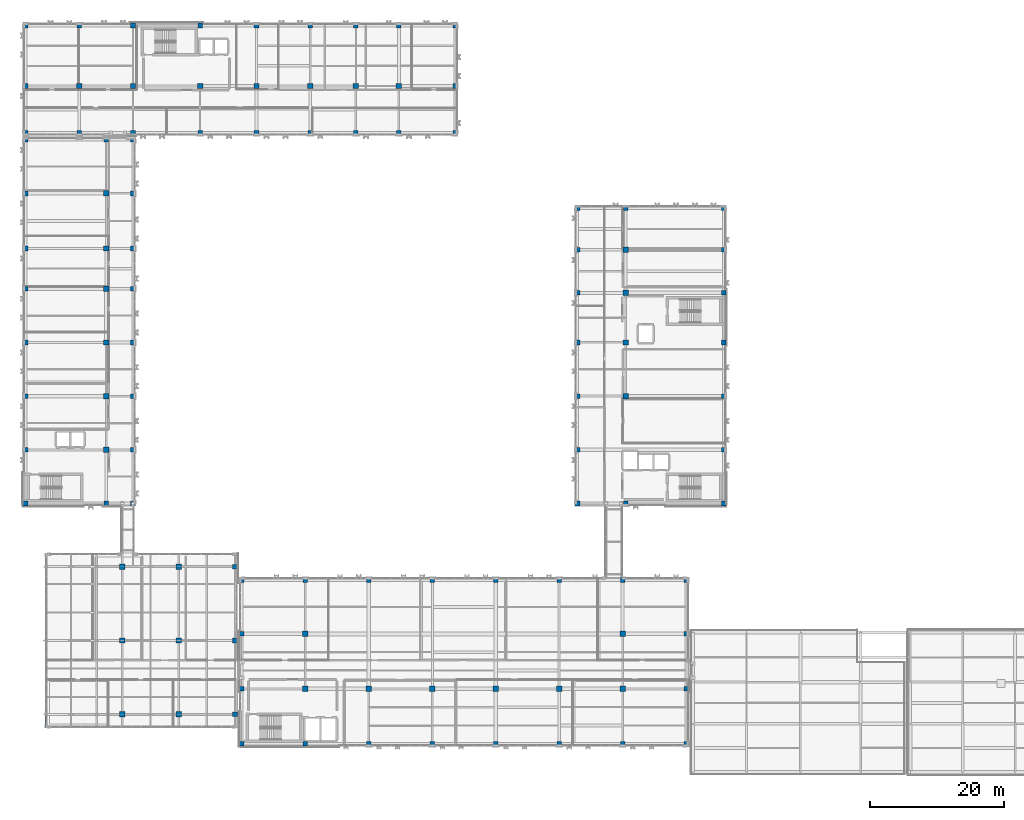
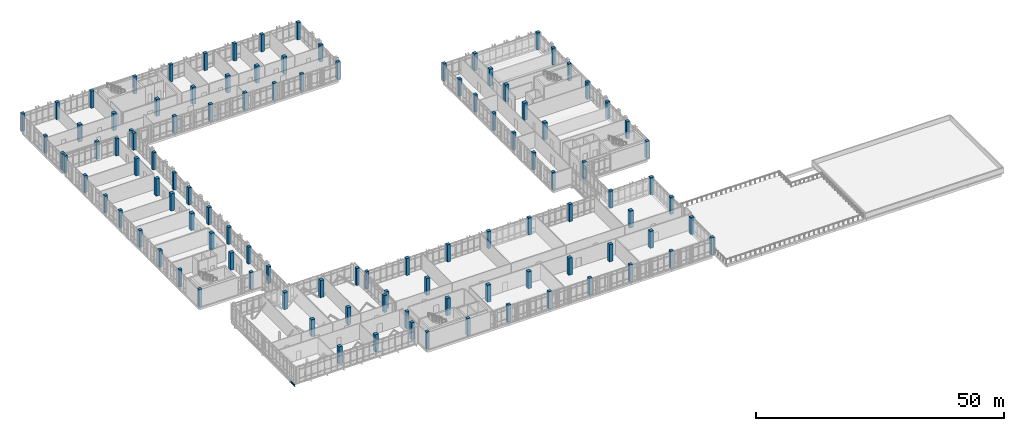
# One storey, part 1 of 165: 108 columns, 1 beam.
"""IFC4 building model written with IfcOpenShell, lengths in metres."""

import ifcopenshell
import ifcopenshell.guid

model = None  # the IFC model being written
_history = None  # IfcOwnerHistory: only IFC2X3 demands one
_inside = {}  # id of a spatial element -> (the spatial element, [elements in it])
_under = {}  # id of a project, library or spatial element -> (it, [spatial elements below it])
_declared = {}  # id of a project -> (the project, [libraries it declares])
_typed = {}  # id of a type object -> (the type object, [elements of that type])
_made_of = {}  # id of a material, layer set ... -> (it, [elements and type objects made of it])


def new_model(schema):
    """Start an empty IFC model of exactly this schema.

    Asked for "IFC4X3", IfcOpenShell would pick the latest addendum, in which some entities
    have other attributes; the version numbers below select the first issue.
    IFC2X3 requires an IfcOwnerHistory on every rooted entity: one is made here for all.
    """
    global model, _history
    if schema == "IFC4X3":
        model = ifcopenshell.file(schema_version=(4, 3, 0, 0))
    else:
        model = ifcopenshell.file(schema=schema)
    _inside.clear()
    _under.clear()
    _declared.clear()
    _typed.clear()
    _made_of.clear()
    _history = None
    if model.schema == "IFC2X3":
        org = make("IfcOrganization", Name="unknown")
        user = make(
            "IfcPersonAndOrganization",
            ThePerson=make("IfcPerson", FamilyName="unknown"),
            TheOrganization=org,
        )
        app = make(
            "IfcApplication",
            ApplicationDeveloper=org,
            Version="unknown",
            ApplicationFullName="unknown",
            ApplicationIdentifier="unknown",
        )
        _history = make(
            "IfcOwnerHistory",
            OwningUser=user,
            OwningApplication=app,
            ChangeAction="ADDED",
            CreationDate=0,
        )
    return model


def make(cls, **values):
    """One entity of the class cls with the attributes given. An attribute that is None is left unset."""
    return model.create_entity(
        cls, **{name: value for name, value in values.items() if value is not None}
    )


def rooted(cls, **values):
    """An entity with a GlobalId (a new one), such as an element, a storey or a relation."""
    return make(cls, GlobalId=ifcopenshell.guid.new(), OwnerHistory=_history, **values)


def si_unit(unit_type, name, prefix=None):
    """IfcSIUnit, for example si_unit("LENGTHUNIT", "METRE", prefix="MILLI")."""
    return make("IfcSIUnit", UnitType=unit_type, Prefix=prefix, Name=name)


def assignment(units):
    """IfcUnitAssignment: the units of a project."""
    return None if units is None else make("IfcUnitAssignment", Units=units)


def point(xyz):
    """IfcCartesianPoint."""
    return None if xyz is None else make("IfcCartesianPoint", Coordinates=xyz)


def direction(xyz):
    """IfcDirection."""
    return None if xyz is None else make("IfcDirection", DirectionRatios=xyz)


def frame(location, z_axis=None, x_axis=None):
    """IfcAxis2Placement3D, a coordinate frame: its origin and axes. An axis left out is left unset."""
    return make(
        "IfcAxis2Placement3D",
        Location=point(location),
        Axis=direction(z_axis),
        RefDirection=direction(x_axis),
    )


def frame_2d(location, x_axis=None):
    """IfcAxis2Placement2D, a coordinate frame in the plane: its origin and x axis."""
    return make(
        "IfcAxis2Placement2D", Location=point(location), RefDirection=direction(x_axis)
    )


def origin():
    """The frame at (0, 0, 0) with its axes left unset."""
    return frame((0.0, 0.0, 0.0))


def origin_2d():
    """The frame at (0, 0) in the plane with its x axis left unset."""
    return frame_2d((0.0, 0.0))


def place(relative_to, where):
    """IfcLocalPlacement: puts the frame where relative to a parent placement (None: the world)."""
    return make(
        "IfcLocalPlacement", PlacementRelTo=relative_to, RelativePlacement=where
    )


def context(
    kind, dimensions, precision=None, world=None, true_north=None, identifier=None
):
    """IfcGeometricRepresentationContext, for example the 3D "Model" context."""
    return make(
        "IfcGeometricRepresentationContext",
        ContextIdentifier=identifier,
        ContextType=kind,
        CoordinateSpaceDimension=dimensions,
        Precision=precision,
        WorldCoordinateSystem=world,
        TrueNorth=true_north,
    )


def subcontext(parent, identifier, kind, view, scale=None):
    """IfcGeometricRepresentationSubContext, for example "Body" below "Model"."""
    return make(
        "IfcGeometricRepresentationSubContext",
        ContextIdentifier=identifier,
        ContextType=kind,
        ParentContext=parent,
        TargetScale=scale,
        TargetView=view,
    )


def project(units=None, contexts=None):
    """IfcProject with its units and contexts."""
    return rooted(
        "IfcProject",
        Name="project",
        RepresentationContexts=contexts,
        UnitsInContext=assignment(units),
    )


def spatial(cls, under=None, at=None, **own):
    """A site, building, storey or space (cls), placed at a placement, below another one or the project."""
    s = rooted(cls, ObjectPlacement=at, **own)
    if under is not None:
        _under.setdefault(under.id(), (under, []))[1].append(s)
    return s


def profile(cls, at=None, kind="AREA", **sizes):
    """A parametric profile (cls). Its sizes go by their IFC names, for example OverallWidth=200.0."""
    return make(cls, ProfileType=kind, Position=at, **sizes)


def rectangle(**sizes):
    """IfcRectangleProfileDef."""
    return profile("IfcRectangleProfileDef", **sizes)


def i_section(**sizes):
    """IfcIShapeProfileDef."""
    return profile("IfcIShapeProfileDef", **sizes)


def extrude(swept, where, along, depth):
    """IfcExtrudedAreaSolid: the profile swept, set in the frame where, extruded along a direction by depth."""
    return make(
        "IfcExtrudedAreaSolid",
        SweptArea=swept,
        Position=where,
        ExtrudedDirection=direction(along),
        Depth=depth,
    )


def shape(context_of_items, identifier, shape_type, items):
    """IfcShapeRepresentation: the items that make up one representation, for example the "Body"."""
    return make(
        "IfcShapeRepresentation",
        ContextOfItems=context_of_items,
        RepresentationIdentifier=identifier,
        RepresentationType=shape_type,
        Items=items,
    )


def material(Name=None, Category=None):
    """IfcMaterial."""
    return make("IfcMaterial", Name=Name, Category=Category)


def material_profile(
    of_material, cross_section, Name=None, Category=None, Priority=None
):
    """IfcMaterialProfile: a cross section and its material."""
    return make(
        "IfcMaterialProfile",
        Name=Name,
        Material=of_material,
        Profile=cross_section,
        Priority=Priority,
        Category=Category,
    )


def profile_set(profiles, Name=None, composite=None):
    """IfcMaterialProfileSet."""
    return make(
        "IfcMaterialProfileSet",
        Name=Name,
        MaterialProfiles=profiles,
        CompositeProfile=composite,
    )


def made_of(thing, what):
    """Note that an element or type object is made of a material, layer set ...; save() writes the relation."""
    if what is not None:
        _made_of.setdefault(what.id(), (what, []))[1].append(thing)
    return thing


def type_object(cls, material=None, **own):
    """A type object (cls), such as IfcWallType, which elements share."""
    return made_of(rooted(cls, **own), material)


def element(
    cls,
    number,
    at=None,
    inside=None,
    cuts=None,
    type_object=None,
    material=None,
    context=None,
    identifier="Body",
    shape_type=None,
    held_by="IfcProductDefinitionShape",
    body=None,
    shapes=None,
    **own,
):
    """One element of the class cls, such as IfcWall. Its Tag is "e" and its number.

    at: its placement. inside: the storey or other place that contains it. cuts: it is an
    opening in that element (IfcRelVoidsElement). A single representation is given by context,
    identifier, shape_type and body (its items); several are given by shapes. held_by: the class
    of the entity that holds the representations. save() writes the other relations.
    """
    e = rooted(cls, Tag="e%d" % number, ObjectPlacement=at, **own)
    if body is not None:
        shapes = [shape(context, identifier, shape_type, body)]
    if shapes is not None:
        e.Representation = make(held_by, Representations=shapes)
    if inside is not None:
        _inside.setdefault(inside.id(), (inside, []))[1].append(e)
    if cuts is not None:
        rooted(
            "IfcRelVoidsElement", RelatingBuildingElement=cuts, RelatedOpeningElement=e
        )
    if type_object is not None:
        _typed.setdefault(type_object.id(), (type_object, []))[1].append(e)
    return made_of(e, material)


def aggregate(whole, parts):
    """IfcRelAggregates: a whole, such as a stair, and the parts it consists of."""
    return rooted("IfcRelAggregates", RelatingObject=whole, RelatedObjects=parts)


def save(model, path):
    """Write the relations noted so far, then the file.

    IfcRelAggregates (storeys below a building ...), IfcRelContainedInSpatialStructure (elements
    in a storey), IfcRelDefinesByType, IfcRelAssociatesMaterial and IfcRelDeclares: one each for
    every whole, place, type object, material and project.
    """
    for whole, parts in _under.values():
        aggregate(whole, parts)
    for where, things in _inside.values():
        rooted(
            "IfcRelContainedInSpatialStructure",
            RelatedElements=things,
            RelatingStructure=where,
        )
    for kind, things in _typed.values():
        rooted("IfcRelDefinesByType", RelatedObjects=things, RelatingType=kind)
    for what, things in _made_of.values():
        rooted("IfcRelAssociatesMaterial", RelatedObjects=things, RelatingMaterial=what)
    for by, libraries in _declared.values():
        rooted("IfcRelDeclares", RelatingContext=by, RelatedDefinitions=libraries)
    model.write(path)


model = new_model("IFC4")

# Units and contexts
model_context = context("Model", 3, precision=1e-05, world=origin(), true_north=direction((0.0, 1.0)))
body_context = subcontext(model_context, "Body", "Model", "MODEL_VIEW")
ifc_project = project(units=[si_unit("LENGTHUNIT", "METRE"), si_unit("AREAUNIT", "SQUARE_METRE"), si_unit("VOLUMEUNIT", "CUBIC_METRE"), si_unit("PLANEANGLEUNIT", "RADIAN"), si_unit("MASSUNIT", "GRAM", prefix="KILO")], contexts=[model_context])

# Site, building, storey
site_placement = place(None, origin())
site = spatial("IfcSite", under=ifc_project, at=site_placement, CompositionType="ELEMENT")
building_placement = place(site_placement, origin())
building = spatial("IfcBuilding", under=site, at=building_placement, Name="Qalavern Law Courts", CompositionType="ELEMENT")
storey_placement = place(building_placement, frame((0.0, 0.0, 14.39990234375)))
storey = spatial("IfcBuildingStorey", under=building, at=storey_placement, Name="L03", CompositionType="ELEMENT", Elevation=14.39990234375)

# Columns
ifc_material_1 = material(Name="Concrete C45/55", Category="concrete")
ifc_material_profile_1 = material_profile(ifc_material_1, rectangle(XDim=0.699951171875, YDim=0.699951171875, at=origin_2d()), Name="RC 700x700")
ifc_profile_set_1 = profile_set([ifc_material_profile_1], Name="Concrete C45/55")
column_type_1 = type_object("IfcColumnType", Name="STR-COL-RC700E", PredefinedType="COLUMN", material=ifc_profile_set_1)
for number, where, z_axis, x_axis, name in (
    (1, (33.60009765625, 10.0, 0.0), (0.0, 0.0, 1.0), (1.0, 0.0, 0.0), "V1 column 3-1 L03"),
    (2, (33.60009765625, 21.0, 0.0), (0.0, 0.0, 1.0), (1.0, 0.0, 0.0), "V1 column 3-2 L03"),
    (3, (33.60009765625, 32.0, 0.0), (0.0, 0.0, 1.0), (1.0, 0.0, 0.0), "V1 column 3-3 L03"),
    (4, (34.6201171875, 5.60009765625, 0.0), (0.0, 0.0, 1.0), (1.0, 0.0, 0.0), "V2 column 1-1 L03"),
    (5, (34.6201171875, 13.800048828125, 0.0), (0.0, 0.0, 1.0), (1.0, 0.0, 0.0), "V2 column 1-2 L03"),
    (6, (34.6201171875, 22.0, 0.0), (0.0, 0.0, 1.0), (1.0, 0.0, 0.0), "V2 column 1-3 L03"),
    (7, (34.6201171875, 30.0, 0.0), (0.0, 0.0, 1.0), (1.0, 0.0, 0.0), "V2 column 1-4 L03"),
    (8, (44.07421875, 5.60009765625, 0.0), (0.0, 0.0, 1.0), (1.0, 0.0, 0.0), "V2 column 2-1 L03"),
    (9, (44.07421875, 30.0, 0.0), (0.0, 0.0, 1.0), (1.0, 0.0, 0.0), "V2 column 2-4 L03"),
    (10, (53.528564453125, 5.60009765625, 0.0), (0.0, 0.0, 1.0), (1.0, 0.0, 0.0), "V2 column 3-1 L03"),
    (11, (53.528564453125, 30.0, 0.0), (0.0, 0.0, 1.0), (1.0, 0.0, 0.0), "V2 column 3-4 L03"),
    (12, (62.98291015625, 5.60009765625, 0.0), (0.0, 0.0, 1.0), (1.0, 0.0, 0.0), "V2 column 4-1 L03"),
    (13, (62.98291015625, 30.0, 0.0), (0.0, 0.0, 1.0), (1.0, 0.0, 0.0), "V2 column 4-4 L03"),
    (14, (72.43701171875, 5.60009765625, 0.0), (0.0, 0.0, 1.0), (1.0, 0.0, 0.0), "V2 column 5-1 L03"),
    (15, (72.43701171875, 30.0, 0.0), (0.0, 0.0, 1.0), (1.0, 0.0, 0.0), "V2 column 5-4 L03"),
    (16, (81.891357421875, 5.60009765625, 0.0), (0.0, 0.0, 1.0), (1.0, 0.0, 0.0), "V2 column 6-1 L03"),
    (17, (81.891357421875, 30.0, 0.0), (0.0, 0.0, 1.0), (1.0, 0.0, 0.0), "V2 column 6-4 L03"),
    (18, (91.345703125, 5.60009765625, 0.0), (0.0, 0.0, 1.0), (1.0, 0.0, 0.0), "V2 column 7-1 L03"),
    (19, (91.345703125, 30.0, 0.0), (0.0, 0.0, 1.0), (1.0, 0.0, 0.0), "V2 column 7-4 L03"),
    (20, (100.800048828125, 5.60009765625, 0.0), (0.0, 0.0, 1.0), (1.0, 0.0, 0.0), "V2 column 8-1 L03"),
    (21, (100.800048828125, 13.800048828125, 0.0), (0.0, 0.0, 1.0), (1.0, 0.0, 0.0), "V2 column 8-2 L03"),
    (22, (100.800048828125, 22.0, 0.0), (0.0, 0.0, 1.0), (1.0, 0.0, 0.0), "V2 column 8-3 L03"),
    (23, (100.800048828125, 30.0, 0.0), (0.0, 0.0, 1.0), (1.0, 0.0, 0.0), "V2 column 8-4 L03"),
    (24, (2.39990234375, 41.419921875, 0.0), (0.0, 0.0, 1.0), (1.0, 0.0, 0.0), "V3 column 1-1 L03"),
    (25, (2.39990234375, 49.39990234375, 0.0), (0.0, 0.0, 1.0), (1.0, 0.0, 0.0), "V3 column 1-2 L03"),
    (26, (2.39990234375, 57.39990234375, 0.0), (0.0, 0.0, 1.0), (1.0, 0.0, 0.0), "V3 column 1-3 L03"),
    (27, (2.39990234375, 65.39990234375, 0.0), (0.0, 0.0, 1.0), (1.0, 0.0, 0.0), "V3 column 1-4 L03"),
    (28, (2.39990234375, 73.39990234375, 0.0), (0.0, 0.0, 1.0), (1.0, 0.0, 0.0), "V3 column 1-5 L03"),
    (29, (2.39990234375, 79.39990234375, 0.0), (0.0, 0.0, 1.0), (1.0, 0.0, 0.0), "V3 column 1-6 L03"),
    (30, (2.39990234375, 87.60009765625, 0.0), (0.0, 0.0, 1.0), (1.0, 0.0, 0.0), "V3 column 1-7 L03"),
    (31, (2.39990234375, 95.580078125, 0.0), (0.0, 0.0, 1.0), (1.0, 0.0, 0.0), "V3 column 1-8 L03"),
    (32, (14.39990234375, 41.419921875, 0.0), (0.0, 0.0, 1.0), (1.0, 0.0, 0.0), "V3 column 2-1 L03"),
    (33, (14.39990234375, 95.580078125, 0.0), (0.0, 0.0, 1.0), (1.0, 0.0, 0.0), "V3 column 2-8 L03"),
    (34, (18.39990234375, 41.419921875, 0.0), (0.0, 0.0, 1.0), (1.0, 0.0, 0.0), "V3 column 3-1 L03"),
    (35, (18.39990234375, 49.39990234375, 0.0), (0.0, 0.0, 1.0), (1.0, 0.0, 0.0), "V3 column 3-2 L03"),
    (36, (18.39990234375, 57.39990234375, 0.0), (0.0, 0.0, 1.0), (1.0, 0.0, 0.0), "V3 column 3-3 L03"),
    (37, (18.39990234375, 65.39990234375, 0.0), (0.0, 0.0, 1.0), (1.0, 0.0, 0.0), "V3 column 3-4 L03"),
    (38, (18.39990234375, 73.39990234375, 0.0), (0.0, 0.0, 1.0), (1.0, 0.0, 0.0), "V3 column 3-5 L03"),
    (39, (18.39990234375, 79.39990234375, 0.0), (0.0, 0.0, 1.0), (1.0, 0.0, 0.0), "V3 column 3-6 L03"),
    (40, (18.39990234375, 87.60009765625, 0.0), (0.0, 0.0, 1.0), (1.0, 0.0, 0.0), "V3 column 3-7 L03"),
    (41, (18.39990234375, 95.580078125, 0.0), (0.0, 0.0, 1.0), (1.0, 0.0, 0.0), "V3 column 3-8 L03"),
    (42, (84.60009765625, 41.419921875, 0.0), (0.0, 0.0, 1.0), (1.0, 0.0, 0.0), "V4 column 1-1 L03"),
    (43, (84.60009765625, 49.39990234375, 0.0), (0.0, 0.0, 1.0), (1.0, 0.0, 0.0), "V4 column 1-2 L03"),
    (44, (84.60009765625, 57.39990234375, 0.0), (0.0, 0.0, 1.0), (1.0, 0.0, 0.0), "V4 column 1-3 L03"),
    (45, (84.60009765625, 65.39990234375, 0.0), (0.0, 0.0, 1.0), (1.0, 0.0, 0.0), "V4 column 1-4 L03"),
    (46, (84.60009765625, 72.800048828125, 0.0), (0.0, 0.0, 1.0), (1.0, 0.0, 0.0), "V4 column 1-5 L03"),
    (47, (84.60009765625, 79.199951171875, 0.0), (0.0, 0.0, 1.0), (1.0, 0.0, 0.0), "V4 column 1-6 L03"),
    (48, (84.60009765625, 85.39990234375, 0.0), (0.0, 0.0, 1.0), (1.0, 0.0, 0.0), "V4 column 1-7 L03"),
    (49, (91.800048828125, 41.419921875, 0.0), (0.0, 0.0, 1.0), (1.0, 0.0, 0.0), "V4 column 2-1 L03"),
    (50, (91.800048828125, 85.39990234375, 0.0), (0.0, 0.0, 1.0), (1.0, 0.0, 0.0), "V4 column 2-7 L03"),
    (51, (106.39990234375, 41.419921875, 0.0), (0.0, 0.0, 1.0), (1.0, 0.0, 0.0), "V4 column 3-1 L03"),
    (52, (106.39990234375, 49.39990234375, 0.0), (0.0, 0.0, 1.0), (1.0, 0.0, 0.0), "V4 column 3-2 L03"),
    (53, (106.39990234375, 57.39990234375, 0.0), (0.0, 0.0, 1.0), (1.0, 0.0, 0.0), "V4 column 3-3 L03"),
    (54, (106.39990234375, 65.39990234375, 0.0), (0.0, 0.0, 1.0), (1.0, 0.0, 0.0), "V4 column 3-4 L03"),
    (55, (106.39990234375, 72.800048828125, 0.0), (0.0, 0.0, 1.0), (1.0, 0.0, 0.0), "V4 column 3-5 L03"),
    (56, (106.39990234375, 79.199951171875, 0.0), (0.0, 0.0, 1.0), (1.0, 0.0, 0.0), "V4 column 3-6 L03"),
    (57, (106.39990234375, 85.39990234375, 0.0), (0.0, 0.0, 1.0), (1.0, 0.0, 0.0), "V4 column 3-7 L03"),
    (58, (2.39990234375, 96.60009765625, 0.0), (0.0, 0.0, 1.0), (1.0, 0.0, 0.0), "V5 column 1-1 L03"),
    (59, (2.39990234375, 103.60009765625, 0.0), (0.0, 0.0, 1.0), (1.0, 0.0, 0.0), "V5 column 1-2 L03"),
    (60, (2.39990234375, 112.60009765625, 0.0), (0.0, 0.0, 1.0), (1.0, 0.0, 0.0), "V5 column 1-3 L03"),
    (61, (10.39990234375, 96.60009765625, 0.0), (0.0, 0.0, 1.0), (1.0, 0.0, 0.0), "V5 column 2-1 L03"),
    (62, (10.39990234375, 112.60009765625, 0.0), (0.0, 0.0, 1.0), (1.0, 0.0, 0.0), "V5 column 2-3 L03"),
    (63, (18.39990234375, 96.60009765625, 0.0), (0.0, 0.0, 1.0), (1.0, 0.0, 0.0), "V5 column 3-1 L03"),
    (64, (18.39990234375, 112.60009765625, 0.0), (0.0, 0.0, 1.0), (1.0, 0.0, 0.0), "V5 column 3-3 L03"),
    (65, (28.39990234375, 96.60009765625, 0.0), (0.0, 0.0, 1.0), (1.0, 0.0, 0.0), "V5 column 4-1 L03"),
    (66, (28.39990234375, 112.60009765625, 0.0), (0.0, 0.0, 1.0), (1.0, 0.0, 0.0), "V5 column 4-3 L03"),
    (67, (36.800048828125, 96.60009765625, 0.0), (0.0, 0.0, 1.0), (1.0, 0.0, 0.0), "V5 column 5-1 L03"),
    (68, (36.800048828125, 112.60009765625, 0.0), (0.0, 0.0, 1.0), (1.0, 0.0, 0.0), "V5 column 5-3 L03"),
    (69, (44.800048828125, 96.60009765625, 0.0), (0.0, 0.0, 1.0), (1.0, 0.0, 0.0), "V5 column 6-1 L03"),
    (70, (44.800048828125, 112.60009765625, 0.0), (0.0, 0.0, 1.0), (1.0, 0.0, 0.0), "V5 column 6-3 L03"),
    (71, (51.60009765625, 96.60009765625, 0.0), (0.0, 0.0, 1.0), (1.0, 0.0, 0.0), "V5 column 7-1 L03"),
    (72, (51.60009765625, 112.60009765625, 0.0), (0.0, 0.0, 1.0), (1.0, 0.0, 0.0), "V5 column 7-3 L03"),
    (73, (58.0, 96.60009765625, 0.0), (0.0, 0.0, 1.0), (1.0, 0.0, 0.0), "V5 column 8-1 L03"),
    (74, (58.0, 112.60009765625, 0.0), (0.0, 0.0, 1.0), (1.0, 0.0, 0.0), "V5 column 8-3 L03"),
    (75, (66.39990234375, 96.60009765625, 0.0), (0.0, 0.0, 1.0), (1.0, 0.0, 0.0), "V5 column 9-1 L03"),
    (76, (66.39990234375, 103.60009765625, 0.0), (0.0, 0.0, 1.0), (1.0, 0.0, 0.0), "V5 column 9-2 L03"),
    (77, (66.39990234375, 112.60009765625, 0.0), (0.0, 0.0, 1.0), (1.0, 0.0, 0.0), "V5 column 9-3 L03"),
):
    element("IfcColumn", number, at=place(storey_placement, frame(where, z_axis=z_axis, x_axis=x_axis)), inside=storey, type_object=column_type_1, Name=name, PredefinedType="COLUMN", context=body_context, shape_type="SweptSolid", body=[
        extrude(rectangle(XDim=0.699951171875, YDim=0.699951171875, at=origin_2d()), origin(), (0.0, 0.0, 1.0), 4.2001953125),
    ])
ifc_material_profile_2 = material_profile(ifc_material_1, rectangle(XDim=0.800048828125, YDim=0.800048828125, at=origin_2d()), Name="RC 800x800")
ifc_profile_set_2 = profile_set([ifc_material_profile_2], Name="Concrete C45/55")
column_type_2 = type_object("IfcColumnType", Name="STR-COL-RC800", PredefinedType="COLUMN", material=ifc_profile_set_2)
for number, where, z_axis, x_axis, name in (
    (78, (16.800048828125, 10.0, 0.0), (0.0, 0.0, 1.0), (1.0, 0.0, 0.0), "V1 column 1-1 L03"),
    (79, (16.800048828125, 21.0, 0.0), (0.0, 0.0, 1.0), (1.0, 0.0, 0.0), "V1 column 1-2 L03"),
    (80, (16.800048828125, 32.0, 0.0), (0.0, 0.0, 1.0), (1.0, 0.0, 0.0), "V1 column 1-3 L03"),
    (81, (25.199951171875, 10.0, 0.0), (0.0, 0.0, 1.0), (1.0, 0.0, 0.0), "V1 column 2-1 L03"),
    (82, (25.199951171875, 21.0, 0.0), (0.0, 0.0, 1.0), (1.0, 0.0, 0.0), "V1 column 2-2 L03"),
    (83, (25.199951171875, 32.0, 0.0), (0.0, 0.0, 1.0), (1.0, 0.0, 0.0), "V1 column 2-3 L03"),
    (84, (44.07421875, 13.800048828125, 0.0), (0.0, 0.0, 1.0), (1.0, 0.0, 0.0), "V2 column 2-2 L03"),
    (85, (44.07421875, 22.0, 0.0), (0.0, 0.0, 1.0), (1.0, 0.0, 0.0), "V2 column 2-3 L03"),
    (86, (53.528564453125, 13.800048828125, 0.0), (0.0, 0.0, 1.0), (1.0, 0.0, 0.0), "V2 column 3-2 L03"),
    (87, (62.98291015625, 13.800048828125, 0.0), (0.0, 0.0, 1.0), (1.0, 0.0, 0.0), "V2 column 4-2 L03"),
    (88, (72.43701171875, 13.800048828125, 0.0), (0.0, 0.0, 1.0), (1.0, 0.0, 0.0), "V2 column 5-2 L03"),
    (89, (81.891357421875, 13.800048828125, 0.0), (0.0, 0.0, 1.0), (1.0, 0.0, 0.0), "V2 column 6-2 L03"),
    (90, (91.345703125, 13.800048828125, 0.0), (0.0, 0.0, 1.0), (1.0, 0.0, 0.0), "V2 column 7-2 L03"),
    (91, (91.345703125, 22.0, 0.0), (0.0, 0.0, 1.0), (1.0, 0.0, 0.0), "V2 column 7-3 L03"),
    (92, (14.39990234375, 49.39990234375, 0.0), (0.0, 0.0, 1.0), (1.0, 0.0, 0.0), "V3 column 2-2 L03"),
    (93, (14.39990234375, 57.39990234375, 0.0), (0.0, 0.0, 1.0), (1.0, 0.0, 0.0), "V3 column 2-3 L03"),
    (94, (14.39990234375, 65.39990234375, 0.0), (0.0, 0.0, 1.0), (1.0, 0.0, 0.0), "V3 column 2-4 L03"),
    (95, (14.39990234375, 73.39990234375, 0.0), (0.0, 0.0, 1.0), (1.0, 0.0, 0.0), "V3 column 2-5 L03"),
    (96, (14.39990234375, 79.39990234375, 0.0), (0.0, 0.0, 1.0), (1.0, 0.0, 0.0), "V3 column 2-6 L03"),
    (97, (14.39990234375, 87.60009765625, 0.0), (0.0, 0.0, 1.0), (1.0, 0.0, 0.0), "V3 column 2-7 L03"),
    (98, (91.800048828125, 57.39990234375, 0.0), (0.0, 0.0, 1.0), (1.0, 0.0, 0.0), "V4 column 2-3 L03"),
    (99, (91.800048828125, 65.39990234375, 0.0), (0.0, 0.0, 1.0), (1.0, 0.0, 0.0), "V4 column 2-4 L03"),
    (100, (91.800048828125, 72.800048828125, 0.0), (0.0, 0.0, 1.0), (1.0, 0.0, 0.0), "V4 column 2-5 L03"),
    (101, (91.800048828125, 79.199951171875, 0.0), (0.0, 0.0, 1.0), (1.0, 0.0, 0.0), "V4 column 2-6 L03"),
    (102, (10.39990234375, 103.60009765625, 0.0), (0.0, 0.0, 1.0), (1.0, 0.0, 0.0), "V5 column 2-2 L03"),
    (103, (18.39990234375, 103.60009765625, 0.0), (0.0, 0.0, 1.0), (1.0, 0.0, 0.0), "V5 column 3-2 L03"),
    (104, (28.39990234375, 103.60009765625, 0.0), (0.0, 0.0, 1.0), (1.0, 0.0, 0.0), "V5 column 4-2 L03"),
    (105, (36.800048828125, 103.60009765625, 0.0), (0.0, 0.0, 1.0), (1.0, 0.0, 0.0), "V5 column 5-2 L03"),
    (106, (44.800048828125, 103.60009765625, 0.0), (0.0, 0.0, 1.0), (1.0, 0.0, 0.0), "V5 column 6-2 L03"),
    (107, (51.60009765625, 103.60009765625, 0.0), (0.0, 0.0, 1.0), (1.0, 0.0, 0.0), "V5 column 7-2 L03"),
    (108, (58.0, 103.60009765625, 0.0), (0.0, 0.0, 1.0), (1.0, 0.0, 0.0), "V5 column 8-2 L03"),
):
    element("IfcColumn", number, at=place(storey_placement, frame(where, z_axis=z_axis, x_axis=x_axis)), inside=storey, type_object=column_type_2, Name=name, PredefinedType="COLUMN", context=body_context, shape_type="SweptSolid", body=[
        extrude(rectangle(XDim=0.800048828125, YDim=0.800048828125, at=origin_2d()), origin(), (0.0, 0.0, 1.0), 4.2001953125),
    ])

# Beam
ifc_material_2 = material(Name="Steel S355", Category="steel")
ifc_material_profile_3 = material_profile(ifc_material_2, i_section(OverallWidth=0.18994140625, OverallDepth=0.449951171875, WebThickness=0.009521484375, FlangeThickness=0.0146484375, FilletRadius=0.02099609375, at=origin_2d()), Name="IPE 450")
ifc_profile_set_3 = profile_set([ifc_material_profile_3], Name="Steel S355")
beam_type = type_object("IfcBeamType", Name="STR-SP-IPE450", PredefinedType="SPANDREL", material=ifc_profile_set_3)
beam_placement = place(storey_placement, frame((5.35009765625, 8.050048828125, -0.510009765625), z_axis=(0.0, 1.0, 0.0), x_axis=(-1.0, 0.0, 0.0)))
element("IfcBeam", 109, at=beam_placement, inside=storey, type_object=beam_type, Name="Foyer transverse beam L03-8.1", PredefinedType="SPANDREL", context=body_context, shape_type="SweptSolid", body=[
    extrude(i_section(OverallWidth=0.18994140625, OverallDepth=0.449951171875, WebThickness=0.009521484375, FlangeThickness=0.0146484375, FilletRadius=0.02099609375, at=origin_2d()), origin(), (0.0, 0.0, 1.0), 1.802001953125),
])

save(model, "model.ifc")
